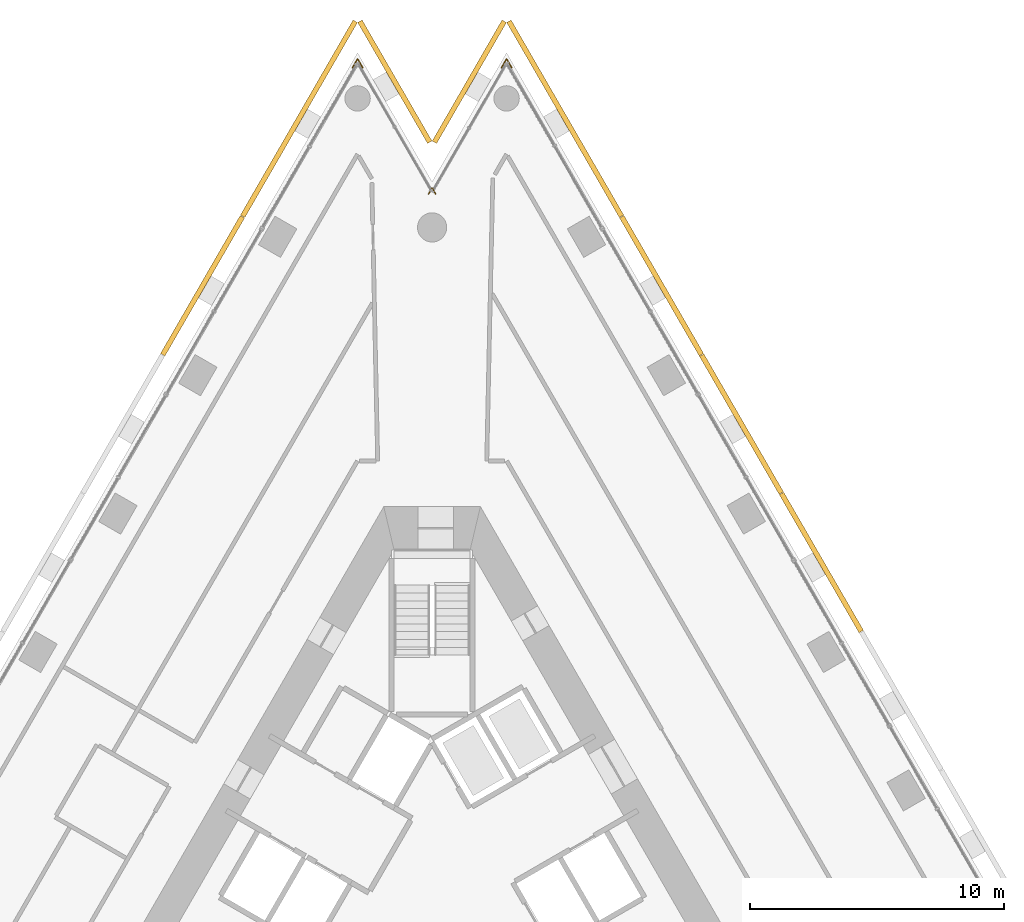
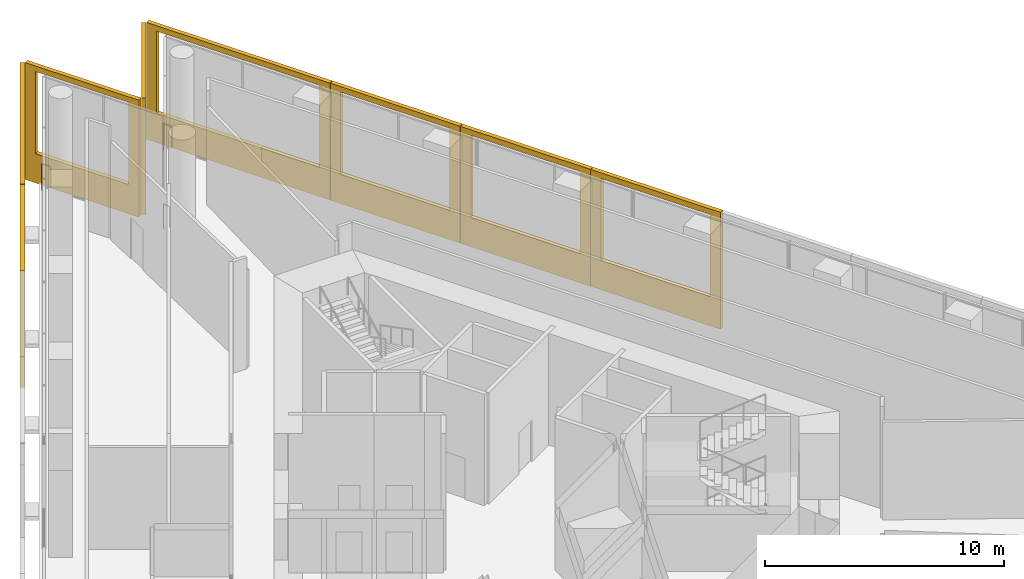
# One storey, part 17 of 18: 8 shading devices, 3 railings.
"""IFC4 building model written with IfcOpenShell, lengths in metres."""

from ifc_helpers import new_model, si_unit, direction, frame, origin, origin_2d, place, context, subcontext, project, spatial, polyline, circle, outline, extrude, material, layer, layer_set, type_object, element, save


model = new_model("IFC4")

# Units and contexts
model_context = context("Model", 3, precision=1e-05, world=origin(), true_north=direction((0.0, 1.0)))
body_context = subcontext(model_context, "Body", "Model", "MODEL_VIEW")
ifc_project = project(units=[si_unit("LENGTHUNIT", "METRE"), si_unit("AREAUNIT", "SQUARE_METRE"), si_unit("VOLUMEUNIT", "CUBIC_METRE"), si_unit("PLANEANGLEUNIT", "RADIAN"), si_unit("MASSUNIT", "GRAM", prefix="KILO")], contexts=[model_context])

# Site, building, storey
site_placement = place(None, origin())
site = spatial("IfcSite", under=ifc_project, at=site_placement, CompositionType="ELEMENT")
building_placement = place(site_placement, origin())
building = spatial("IfcBuilding", under=site, at=building_placement, Name="Triada Interchange Tower", CompositionType="ELEMENT")
storey_placement = place(building_placement, frame((0.0, 0.0, 185.300048828125)))
storey = spatial("IfcBuildingStorey", under=building, at=storey_placement, Name="L43", CompositionType="ELEMENT", Elevation=185.300048828125)

# Railings
ifc_material_1 = material(Name="Stainless steel 1.4301", Category="steel")
railing_type = type_object("IfcRailingType", Name="Edge guard 1100", PredefinedType="GUARDRAIL", material=ifc_material_1)
railing_1_placement = place(storey_placement, frame((-2.73388671875, 32.0029296875, 0.0)))
element("IfcRailing", 1, at=railing_1_placement, inside=storey, type_object=railing_type, Name="Edge guard L43 corner 01", PredefinedType="GUARDRAIL", context=body_context, shape_type="SweptSolid", body=[
    extrude(circle(Radius=0.02392578125, at=origin_2d()), frame((0.0, 0.0, 1.076171875), z_axis=(-0.499757119926, 0.866165585257, 0.0), x_axis=(-0.866165585257, -0.499757119926, 0.0)), (0.0, 0.0, 1.0), 0.406494140625),
    extrude(circle(Radius=0.02392578125, at=origin_2d()), frame((-0.203125, 0.35205078125, 1.076171875), z_axis=(-0.49930626892, -0.866425559305, 0.0), x_axis=(0.866425559305, -0.49930626892, 0.0)), (0.0, 0.0, 1.0), 0.40625),
    extrude(circle(Radius=0.02099609375, at=origin_2d()), origin(), (0.0, 0.0, 1.0), 1.052001953125),
    extrude(circle(Radius=0.02099609375, at=origin_2d()), frame((-0.203125, 0.35205078125, 0.0)), (0.0, 0.0, 1.0), 1.052001953125),
    extrude(circle(Radius=0.02099609375, at=origin_2d()), frame((-0.406005859375, 0.0, 0.0)), (0.0, 0.0, 1.0), 1.052001953125),
])
railing_2_placement = place(storey_placement, frame((3.139892578125, 32.0029296875, 0.0)))
element("IfcRailing", 2, at=railing_2_placement, inside=storey, type_object=railing_type, Name="Edge guard L43 corner 08", PredefinedType="GUARDRAIL", context=body_context, shape_type="SweptSolid", body=[
    extrude(circle(Radius=0.02392578125, at=origin_2d()), frame((0.0, 0.0, 1.076171875), z_axis=(-0.49930626892, 0.866425559305, 0.0), x_axis=(-0.866425559305, -0.49930626892, 0.0)), (0.0, 0.0, 1.0), 0.40625),
    extrude(circle(Radius=0.02392578125, at=origin_2d()), frame((-0.202880859375, 0.35205078125, 1.076171875), z_axis=(-0.499757119926, -0.866165585257, 0.0), x_axis=(0.866165585257, -0.499757119926, 0.0)), (0.0, 0.0, 1.0), 0.406494140625),
    extrude(circle(Radius=0.02099609375, at=origin_2d()), origin(), (0.0, 0.0, 1.0), 1.052001953125),
    extrude(circle(Radius=0.02099609375, at=origin_2d()), frame((-0.202880859375, 0.35205078125, 0.0)), (0.0, 0.0, 1.0), 1.052001953125),
    extrude(circle(Radius=0.02099609375, at=origin_2d()), frame((-0.406005859375, 0.0, 0.0)), (0.0, 0.0, 1.0), 1.052001953125),
])
railing_3_placement = place(storey_placement, frame((-0.14306640625, 27.02001953125, 0.0)))
element("IfcRailing", 3, at=railing_3_placement, inside=storey, type_object=railing_type, Name="Edge guard L43 corner 09", PredefinedType="GUARDRAIL", context=body_context, shape_type="SweptSolid", body=[
    extrude(circle(Radius=0.02392578125, at=origin_2d()), frame((0.0, 0.0, 1.076171875), z_axis=(0.49962403686, 0.866242357422, 0.0), x_axis=(-0.866242357422, 0.49962403686, 0.0)), (0.0, 0.0, 1.0), 0.286376953125),
    extrude(circle(Radius=0.02392578125, at=origin_2d()), frame((0.14306640625, 0.248046875, 1.076171875), z_axis=(0.49962403686, -0.866242357422, 0.0), x_axis=(0.866242357422, 0.49962403686, 0.0)), (0.0, 0.0, 1.0), 0.286376953125),
    extrude(circle(Radius=0.02099609375, at=origin_2d()), origin(), (0.0, 0.0, 1.0), 1.052001953125),
    extrude(circle(Radius=0.02099609375, at=origin_2d()), frame((0.14306640625, 0.248046875, 0.0)), (0.0, 0.0, 1.0), 1.052001953125),
    extrude(circle(Radius=0.02099609375, at=origin_2d()), frame((0.2861328125, 0.0, 0.0)), (0.0, 0.0, 1.0), 1.052001953125),
])

# Shading devices
ifc_material_2 = material(Name="Concrete C50/60 precast", Category="concrete")
ifc_layer_1 = layer(ifc_material_2, 0.02001953125, Name="Exposed aggregate face")
ifc_layer_2 = layer(ifc_material_2, 0.179931640625, Name="Precast concrete screen")
ifc_layer_set = layer_set([ifc_layer_1, ifc_layer_2], Name="Outer skin screen panel 5980")
shading_device_type = type_object("IfcShadingDeviceType", Name="Outer skin screen panel 5980", PredefinedType="SHUTTER", material=ifc_layer_set)
shading_device_1_placement = place(storey_placement, frame((-2.94189453125, 33.785888671875, -0.590087890625), z_axis=(0.0, 0.0, 1.0), x_axis=(-0.500046201033, -0.865998727962, 0.0)))
element("IfcShadingDevice", 4, at=shading_device_1_placement, inside=storey, type_object=shading_device_type, Name="Outer skin screen panel L43 01", PredefinedType="SHUTTER", context=body_context, shape_type="SweptSolid", body=[
    extrude(outline(polyline([(0.0, 0.0), (8.877685546875, 0.0), (8.877685546875, 5.97998046875), (0.0, 5.97998046875), (0.0, 0.0)]), holes=[polyline([(0.5, 1.489990234375), (0.5, 5.699951171875), (8.37841796875, 5.699951171875), (8.37841796875, 1.489990234375), (0.5, 1.489990234375)])]), frame((0.0, 0.0, 0.0), z_axis=(0.0, -1.0, 0.0), x_axis=(1.0, 0.0, 0.0)), (0.0, 0.0, 1.0), 0.199951171875),
])
shading_device_2_placement = place(storey_placement, frame((-7.39111328125, 26.080078125, -0.590087890625), z_axis=(0.0, 0.0, 1.0), x_axis=(-0.499964741488, -0.866045759339, 0.0)))
element("IfcShadingDevice", 5, at=shading_device_2_placement, inside=storey, type_object=shading_device_type, Name="Outer skin screen panel L43 02", PredefinedType="SHUTTER", context=body_context, shape_type="SweptSolid", body=[
    extrude(outline(polyline([(0.0, 0.0), (6.2802734375, 0.0), (6.2802734375, 5.97998046875), (0.0, 5.97998046875), (0.0, 0.0)]), holes=[polyline([(0.5, 1.489990234375), (0.5, 5.699951171875), (5.7802734375, 5.699951171875), (5.7802734375, 1.489990234375), (0.5, 1.489990234375)])]), frame((0.0, 0.0, 0.0), z_axis=(0.0, -1.0, 0.0), x_axis=(1.0, 0.0, 0.0)), (0.0, 0.0, 1.0), 0.199951171875),
])
shading_device_3_placement = place(storey_placement, frame((16.83203125, 9.72900390625, -0.590087890625), z_axis=(0.0, 0.0, 1.0), x_axis=(-0.500110506406, 0.86596159348, 0.0)))
element("IfcShadingDevice", 6, at=shading_device_3_placement, inside=storey, type_object=shading_device_type, Name="Outer skin screen panel L43 25", PredefinedType="SHUTTER", context=body_context, shape_type="SweptSolid", body=[
    extrude(outline(polyline([(0.0, 0.0), (6.28076171875, 0.0), (6.28076171875, 5.97998046875), (0.0, 5.97998046875), (0.0, 0.0)]), holes=[polyline([(0.5, 1.489990234375), (0.5, 5.699951171875), (5.7802734375, 5.699951171875), (5.7802734375, 1.489990234375), (0.5, 1.489990234375)])]), frame((0.0, 0.0, 0.0), z_axis=(0.0, -1.0, 0.0), x_axis=(1.0, 0.0, 0.0)), (0.0, 0.0, 1.0), 0.199951171875),
])
for number, where, z_axis, x_axis, name in (
    (7, (13.680908203125, 15.18505859375, -0.590087890625), (0.0, 0.0, 1.0), (-0.499964741488, 0.866045759339, 0.0), "Outer skin screen panel L43 26"),
    (8, (10.531005859375, 20.64111328125, -0.590087890625), (0.0, 0.0, 1.0), (-0.499964741488, 0.866045759339, 0.0), "Outer skin screen panel L43 27"),
):
    element("IfcShadingDevice", number, at=place(storey_placement, frame(where, z_axis=z_axis, x_axis=x_axis)), inside=storey, type_object=shading_device_type, Name=name, PredefinedType="SHUTTER", context=body_context, shape_type="SweptSolid", body=[
        extrude(outline(polyline([(0.0, 0.0), (6.2802734375, 0.0), (6.2802734375, 5.97998046875), (0.0, 5.97998046875), (0.0, 0.0)]), holes=[polyline([(0.5, 1.489990234375), (0.5, 5.699951171875), (5.7802734375, 5.699951171875), (5.7802734375, 1.489990234375), (0.5, 1.489990234375)])]), frame((0.0, 0.0, 0.0), z_axis=(0.0, -1.0, 0.0), x_axis=(1.0, 0.0, 0.0)), (0.0, 0.0, 1.0), 0.199951171875),
    ])
shading_device_4_placement = place(storey_placement, frame((7.381103515625, 26.097900390625, -0.590087890625), z_axis=(0.0, 0.0, 1.0), x_axis=(-0.500046201033, 0.865998727962, 0.0)))
element("IfcShadingDevice", 9, at=shading_device_4_placement, inside=storey, type_object=shading_device_type, Name="Outer skin screen panel L43 28", PredefinedType="SHUTTER", context=body_context, shape_type="SweptSolid", body=[
    extrude(outline(polyline([(0.0, 0.0), (8.877685546875, 0.0), (8.877685546875, 5.97998046875), (0.0, 5.97998046875), (0.0, 0.0)]), holes=[polyline([(0.5, 1.489990234375), (0.5, 5.699951171875), (8.37841796875, 5.699951171875), (8.37841796875, 1.489990234375), (0.5, 1.489990234375)])]), frame((0.0, 0.0, 0.0), z_axis=(0.0, -1.0, 0.0), x_axis=(1.0, 0.0, 0.0)), (0.0, 0.0, 1.0), 0.199951171875),
])
for number, where, z_axis, x_axis, name in (
    (10, (2.931884765625, 33.785888671875, -0.590087890625), (0.0, 0.0, 1.0), (-0.500087020329, -0.865975156745, 0.0), "Outer skin screen panel L43 29"),
    (11, (-0.177978515625, 29.01708984375, -0.590087890625), (0.0, 0.0, 1.0), (-0.500087020329, 0.865975156745, 0.0), "Outer skin screen panel L43 30"),
):
    element("IfcShadingDevice", number, at=place(storey_placement, frame(where, z_axis=z_axis, x_axis=x_axis)), inside=storey, type_object=shading_device_type, Name=name, PredefinedType="SHUTTER", context=body_context, shape_type="SweptSolid", body=[
        extrude(outline(polyline([(0.0, 0.0), (5.5068359375, 0.0), (5.5068359375, 5.97998046875), (0.0, 5.97998046875), (0.0, 0.0)]), holes=[polyline([(0.5, 1.489990234375), (0.5, 5.699951171875), (5.007568359375, 5.699951171875), (5.007568359375, 1.489990234375), (0.5, 1.489990234375)])]), frame((0.0, 0.0, 0.0), z_axis=(0.0, -1.0, 0.0), x_axis=(1.0, 0.0, 0.0)), (0.0, 0.0, 1.0), 0.199951171875),
    ])

save(model, "model.ifc")
